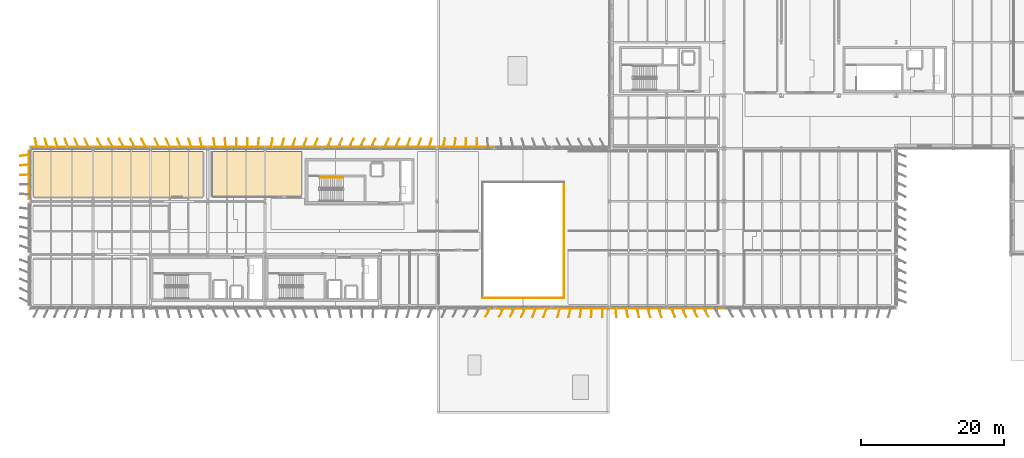
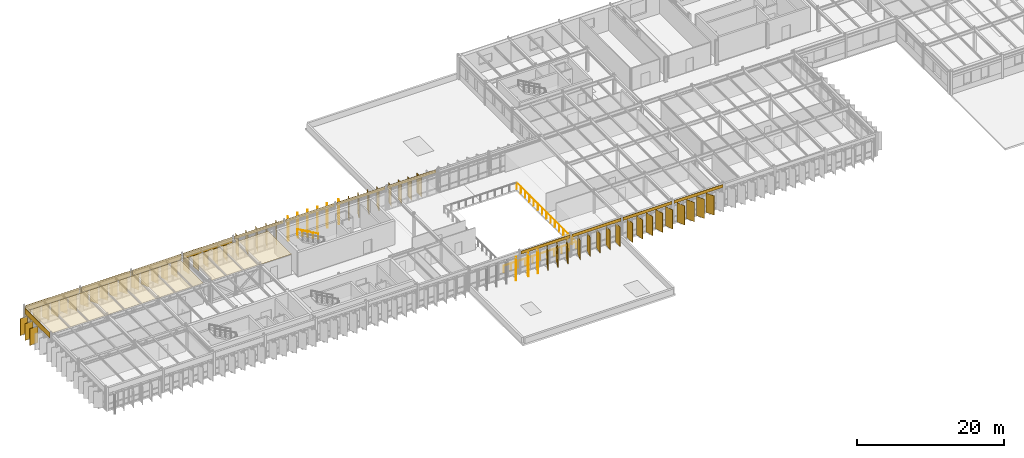
# One storey, part 50 of 56: 78 coverings, 3 railings.
"""IFC4 building model written with IfcOpenShell, lengths in metres."""

from ifc_helpers import new_model, si_unit, direction, frame, frame_2d, origin, origin_2d, place, context, subcontext, project, spatial, polyline, rectangle, circle, outline, extrude, material, layer, layer_set, type_object, element, save


model = new_model("IFC4")

# Units and contexts
model_context = context("Model", 3, precision=1e-05, world=origin(), true_north=direction((0.0, 1.0)))
body_context = subcontext(model_context, "Body", "Model", "MODEL_VIEW")
ifc_project = project(units=[si_unit("LENGTHUNIT", "METRE"), si_unit("AREAUNIT", "SQUARE_METRE"), si_unit("VOLUMEUNIT", "CUBIC_METRE"), si_unit("PLANEANGLEUNIT", "RADIAN"), si_unit("MASSUNIT", "GRAM", prefix="KILO")], contexts=[model_context])

# Site, building, storey
site_placement = place(None, origin())
site = spatial("IfcSite", under=ifc_project, at=site_placement, CompositionType="ELEMENT")
building_placement = place(site_placement, origin())
building = spatial("IfcBuilding", under=site, at=building_placement, Name="Valkorina Park Police Headquarters", CompositionType="ELEMENT")
storey_placement = place(building_placement, frame((0.0, 0.0, 14.10009765625)))
storey = spatial("IfcBuildingStorey", under=building, at=storey_placement, Name="L04", CompositionType="ELEMENT", Elevation=14.10009765625)

# Coverings
ifc_material_1 = material(Name="Acoustic mineral board")
ifc_layer_1 = layer(ifc_material_1, 0.02490234375)
ifc_layer_set_1 = layer_set([ifc_layer_1], Name="Acoustic mineral board")
covering_type_1 = type_object("IfcCoveringType", Name="COV-CEILING-ACOUST", PredefinedType="CEILING", material=ifc_layer_set_1)
covering_1_placement = place(storey_placement, frame((0.0, 0.0, 3.239990234375)))
element("IfcCovering", 1, at=covering_1_placement, inside=storey, type_object=covering_type_1, Name="Cantilever West North Detective Suite Acoustic Suspended Ceiling", PredefinedType="CEILING", context=body_context, shape_type="SweptSolid", body=[
    extrude(outline(polyline([(24.158447265625, 52.50439453125), (24.15966796875, 52.51220703125), (24.159912109375, 52.52001953125), (24.159912109375, 58.679931640625), (24.15966796875, 58.687744140625), (24.158447265625, 58.695556640625), (24.156494140625, 58.703125), (24.15380859375, 58.710693359375), (24.150634765625, 58.7177734375), (24.146484375, 58.724365234375), (24.141845703125, 58.730712890625), (24.13671875, 58.736572265625), (24.130859375, 58.74169921875), (24.12451171875, 58.74658203125), (24.11767578125, 58.75048828125), (24.110595703125, 58.75390625), (24.103271484375, 58.756591796875), (24.095703125, 58.758544921875), (24.087890625, 58.759521484375), (24.080078125, 58.760009765625), (0.52001953125, 58.760009765625), (0.51220703125, 58.759521484375), (0.50439453125, 58.758544921875), (0.496826171875, 58.756591796875), (0.489501953125, 58.75390625), (0.482421875, 58.75048828125), (0.4755859375, 58.74658203125), (0.46923828125, 58.74169921875), (0.46337890625, 58.736572265625), (0.458251953125, 58.730712890625), (0.45361328125, 58.724365234375), (0.449462890625, 58.7177734375), (0.446044921875, 58.710693359375), (0.443359375, 58.703125), (0.44140625, 58.695556640625), (0.4404296875, 58.687744140625), (0.43994140625, 58.679931640625), (0.43994140625, 52.52001953125), (0.4404296875, 52.51220703125), (0.44140625, 52.50439453125), (0.443359375, 52.496826171875), (0.446044921875, 52.489501953125), (0.449462890625, 52.482421875), (0.45361328125, 52.4755859375), (0.458251953125, 52.46923828125), (0.46337890625, 52.46337890625), (0.46923828125, 52.458251953125), (0.4755859375, 52.45361328125), (0.482421875, 52.449462890625), (0.489501953125, 52.446044921875), (0.496826171875, 52.443359375), (0.50439453125, 52.44140625), (0.51220703125, 52.4404296875), (0.52001953125, 52.43994140625), (24.080078125, 52.43994140625), (24.087890625, 52.4404296875), (24.095703125, 52.44140625), (24.103271484375, 52.443359375), (24.110595703125, 52.446044921875), (24.11767578125, 52.449462890625), (24.12451171875, 52.45361328125), (24.130859375, 52.458251953125), (24.13671875, 52.46337890625), (24.141845703125, 52.46923828125), (24.146484375, 52.4755859375), (24.150634765625, 52.482421875), (24.15380859375, 52.489501953125), (24.156494140625, 52.496826171875), (24.158447265625, 52.50439453125)])), origin(), (0.0, 0.0, 1.0), 0.02490234375),
])
covering_2_placement = place(storey_placement, frame((0.0, 0.0, 3.239990234375)))
element("IfcCovering", 2, at=covering_2_placement, inside=storey, type_object=covering_type_1, Name="Robbery and Street-Crime Squad Suite Acoustic Suspended Ceiling", PredefinedType="CEILING", context=body_context, shape_type="SweptSolid", body=[
    extrude(outline(polyline([(37.95849609375, 52.50439453125), (37.959716796875, 52.51220703125), (37.9599609375, 52.52001953125), (37.9599609375, 58.679931640625), (37.959716796875, 58.687744140625), (37.95849609375, 58.695556640625), (37.95654296875, 58.703125), (37.953857421875, 58.710693359375), (37.95068359375, 58.7177734375), (37.946533203125, 58.724365234375), (37.94189453125, 58.730712890625), (37.9365234375, 58.736572265625), (37.930908203125, 58.74169921875), (37.92431640625, 58.74658203125), (37.917724609375, 58.75048828125), (37.91064453125, 58.75390625), (37.9033203125, 58.756591796875), (37.8955078125, 58.758544921875), (37.8876953125, 58.759521484375), (37.8798828125, 58.760009765625), (25.52001953125, 58.760009765625), (25.51220703125, 58.759521484375), (25.50439453125, 58.758544921875), (25.496826171875, 58.756591796875), (25.489501953125, 58.75390625), (25.482421875, 58.75048828125), (25.4755859375, 58.74658203125), (25.46923828125, 58.74169921875), (25.46337890625, 58.736572265625), (25.458251953125, 58.730712890625), (25.45361328125, 58.724365234375), (25.449462890625, 58.7177734375), (25.446044921875, 58.710693359375), (25.443359375, 58.703125), (25.44140625, 58.695556640625), (25.4404296875, 58.687744140625), (25.43994140625, 58.679931640625), (25.43994140625, 52.52001953125), (25.4404296875, 52.51220703125), (25.44140625, 52.50439453125), (25.443359375, 52.496826171875), (25.446044921875, 52.489501953125), (25.449462890625, 52.482421875), (25.45361328125, 52.4755859375), (25.458251953125, 52.46923828125), (25.46337890625, 52.46337890625), (25.46923828125, 52.458251953125), (25.4755859375, 52.45361328125), (25.482421875, 52.449462890625), (25.489501953125, 52.446044921875), (25.496826171875, 52.443359375), (25.50439453125, 52.44140625), (25.51220703125, 52.4404296875), (25.52001953125, 52.43994140625), (37.8798828125, 52.43994140625), (37.8876953125, 52.4404296875), (37.8955078125, 52.44140625), (37.9033203125, 52.443359375), (37.91064453125, 52.446044921875), (37.917724609375, 52.449462890625), (37.92431640625, 52.45361328125), (37.930908203125, 52.458251953125), (37.9365234375, 52.46337890625), (37.94189453125, 52.46923828125), (37.946533203125, 52.4755859375), (37.95068359375, 52.482421875), (37.953857421875, 52.489501953125), (37.95654296875, 52.496826171875), (37.95849609375, 52.50439453125)])), origin(), (0.0, 0.0, 1.0), 0.02490234375),
])
ifc_material_2 = material(Name="Precast concrete C40/50", Category="concrete")
ifc_layer_2 = layer(ifc_material_2, 0.044921875)
ifc_layer_set_2 = layer_set([ifc_layer_2], Name="Precast concrete C40/50")
covering_type_2 = type_object("IfcCoveringType", Name="COV-CLAD-DOLOMITE", PredefinedType="CLADDING", material=ifc_layer_set_2)
covering_3_placement = place(storey_placement, frame((0.159912109375, 59.360107421875, 2.844970703125), z_axis=(0.0, 0.0, 1.0), x_axis=(1.0, 0.0, 0.0)))
element("IfcCovering", 3, at=covering_3_placement, inside=storey, type_object=covering_type_2, Name="L04 Spandrel Beam Insulated Fascia 2217", PredefinedType="CLADDING", context=body_context, shape_type="SweptSolid", body=[
    extrude(rectangle(XDim=8.47998046875, YDim=0.044921875, at=frame_2d((4.239990234375, 0.0))), origin(), (0.0, 0.0, 1.0), 0.909912109375),
])
for number, where, z_axis, x_axis, name in (
    (4, (8.9599609375, 59.360107421875, 2.844970703125), (0.0, 0.0, 1.0), (1.0, 0.0, 0.0), "L04 Spandrel Beam Insulated Fascia 2218"),
    (5, (16.9599609375, 59.360107421875, 2.844970703125), (0.0, 0.0, 1.0), (1.0, 0.0, 0.0), "L04 Spandrel Beam Insulated Fascia 2219"),
    (6, (24.9599609375, 59.360107421875, 2.844970703125), (0.0, 0.0, 1.0), (1.0, 0.0, 0.0), "L04 Spandrel Beam Insulated Fascia 2220"),
):
    element("IfcCovering", number, at=place(storey_placement, frame(where, z_axis=z_axis, x_axis=x_axis)), inside=storey, type_object=covering_type_2, Name=name, PredefinedType="CLADDING", context=body_context, shape_type="SweptSolid", body=[
        extrude(rectangle(XDim=7.679931640625, YDim=0.044921875, at=frame_2d((3.83984375, 0.0))), origin(), (0.0, 0.0, 1.0), 0.909912109375),
    ])
for number, where, z_axis, x_axis, name in (
    (7, (32.9599609375, 59.360107421875, 3.2548828125), (0.0, 0.0, 1.0), (1.0, 0.0, 0.0), "L04 Spandrel Beam Insulated Fascia 2221"),
    (8, (40.9599609375, 59.360107421875, 3.2548828125), (0.0, 0.0, 1.0), (1.0, 0.0, 0.0), "L04 Spandrel Beam Insulated Fascia 2222"),
):
    element("IfcCovering", number, at=place(storey_placement, frame(where, z_axis=z_axis, x_axis=x_axis)), inside=storey, type_object=covering_type_2, Name=name, PredefinedType="CLADDING", context=body_context, shape_type="SweptSolid", body=[
        extrude(rectangle(XDim=7.679931640625, YDim=0.044921875, at=frame_2d((3.83984375, 0.0))), origin(), (0.0, 0.0, 1.0), 0.5),
    ])
covering_4_placement = place(storey_placement, frame((48.9599609375, 59.360107421875, 3.2548828125), z_axis=(0.0, 0.0, 1.0), x_axis=(1.0, 0.0, 0.0)))
element("IfcCovering", 9, at=covering_4_placement, inside=storey, type_object=covering_type_2, Name="L04 Spandrel Beam Insulated Fascia 2223", PredefinedType="CLADDING", context=body_context, shape_type="SweptSolid", body=[
    extrude(rectangle(XDim=7.65234375, YDim=0.044921875, at=frame_2d((3.826171875, 0.0))), origin(), (0.0, 0.0, 1.0), 0.5),
])
covering_5_placement = place(storey_placement, frame((56.98779296875, 59.360107421875, 3.2548828125), z_axis=(0.0, 0.0, 1.0), x_axis=(1.0, 0.0, 0.0)))
element("IfcCovering", 10, at=covering_5_placement, inside=storey, type_object=covering_type_2, Name="L04 Spandrel Beam Insulated Fascia 2224", PredefinedType="CLADDING", context=body_context, shape_type="SweptSolid", body=[
    extrude(rectangle(XDim=7.62451171875, YDim=0.044921875, at=frame_2d((3.812255859375, 0.0))), origin(), (0.0, 0.0, 1.0), 0.5),
])
covering_6_placement = place(storey_placement, frame((96.639892578125, 36.840087890625, 3.2548828125), z_axis=(0.0, 0.0, 1.0), x_axis=(-1.0, 0.0, 0.0)))
element("IfcCovering", 11, at=covering_6_placement, inside=storey, type_object=covering_type_2, Name="L04 Spandrel Beam Insulated Fascia 2381", PredefinedType="CLADDING", context=body_context, shape_type="SweptSolid", body=[
    extrude(rectangle(XDim=7.679931640625, YDim=0.044921875, at=frame_2d((3.83984375, 0.0))), origin(), (0.0, 0.0, 1.0), 0.5),
])
covering_7_placement = place(storey_placement, frame((88.639892578125, 36.840087890625, 3.2548828125), z_axis=(0.0, 0.0, 1.0), x_axis=(-1.0, 0.0, 0.0)))
element("IfcCovering", 12, at=covering_7_placement, inside=storey, type_object=covering_type_2, Name="L04 Spandrel Beam Insulated Fascia 2382", PredefinedType="CLADDING", context=body_context, shape_type="SweptSolid", body=[
    extrude(rectangle(XDim=7.652099609375, YDim=0.044921875, at=frame_2d((3.826171875, 0.0))), origin(), (0.0, 0.0, 1.0), 0.5),
])
for number, where, z_axis, x_axis, name in (
    (13, (80.6123046875, 36.840087890625, 3.2548828125), (0.0, 0.0, 1.0), (-1.0, 0.0, 0.0), "L04 Spandrel Beam Insulated Fascia 2383"),
    (14, (72.6123046875, 36.840087890625, 3.2548828125), (0.0, 0.0, 1.0), (-1.0, 0.0, 0.0), "L04 Spandrel Beam Insulated Fascia 2384"),
):
    element("IfcCovering", number, at=place(storey_placement, frame(where, z_axis=z_axis, x_axis=x_axis)), inside=storey, type_object=covering_type_2, Name=name, PredefinedType="CLADDING", context=body_context, shape_type="SweptSolid", body=[
        extrude(rectangle(XDim=7.62451171875, YDim=0.044921875, at=frame_2d((3.812255859375, 0.0))), origin(), (0.0, 0.0, 1.0), 0.5),
    ])
covering_8_placement = place(storey_placement, frame((-0.159912109375, 52.110107421875, 2.844970703125), z_axis=(0.0, 0.0, 1.0), x_axis=(0.0, 1.0, 0.0)))
element("IfcCovering", 15, at=covering_8_placement, inside=storey, type_object=covering_type_2, Name="L04 Spandrel Beam Insulated Fascia 2395", PredefinedType="CLADDING", context=body_context, shape_type="SweptSolid", body=[
    extrude(rectangle(XDim=6.77978515625, YDim=0.044921875, at=frame_2d((3.389892578125, 0.0))), origin(), (0.0, 0.0, 1.0), 0.909912109375),
])

# Railings
ifc_material_3 = material(Name="Stainless steel EN 1.4404", Category="steel")
railing_type_1 = type_object("IfcRailingType", Name="RL-GUARD-INT-1100", PredefinedType="BALUSTRADE", material=ifc_material_3)
railing_1_placement = place(storey_placement, frame((63.1201171875, 38.320068359375, 0.0)))
element("IfcRailing", 16, at=railing_1_placement, inside=storey, type_object=railing_type_1, Name="L04 Winter Concourse Atrium Balustrade 9", PredefinedType="BALUSTRADE", context=body_context, shape_type="SweptSolid", body=[
    extrude(circle(Radius=0.02392578125, at=origin_2d()), frame((0.0, 0.0, 1.09619140625), z_axis=(1.0, 0.0, 0.0), x_axis=(0.0, 1.0, 0.0)), (0.0, 0.0, 1.0), 11.35986328125),
    extrude(circle(Radius=0.02099609375, at=origin_2d()), origin(), (0.0, 0.0, 1.0), 1.072021484375),
    extrude(circle(Radius=0.02099609375, at=origin_2d()), frame((1.135986328125, 0.0, 0.0)), (0.0, 0.0, 1.0), 1.072021484375),
    extrude(circle(Radius=0.02099609375, at=origin_2d()), frame((2.27197265625, 0.0, 0.0)), (0.0, 0.0, 1.0), 1.072021484375),
    extrude(circle(Radius=0.02099609375, at=origin_2d()), frame((3.407958984375, 0.0, 0.0)), (0.0, 0.0, 1.0), 1.072021484375),
    extrude(circle(Radius=0.02099609375, at=origin_2d()), frame((4.5439453125, 0.0, 0.0)), (0.0, 0.0, 1.0), 1.072021484375),
    extrude(circle(Radius=0.02099609375, at=origin_2d()), frame((5.679931640625, 0.0, 0.0)), (0.0, 0.0, 1.0), 1.072021484375),
    extrude(circle(Radius=0.02099609375, at=origin_2d()), frame((6.81591796875, 0.0, 0.0)), (0.0, 0.0, 1.0), 1.072021484375),
    extrude(circle(Radius=0.02099609375, at=origin_2d()), frame((7.951904296875, 0.0, 0.0)), (0.0, 0.0, 1.0), 1.072021484375),
    extrude(circle(Radius=0.02099609375, at=origin_2d()), frame((9.087890625, 0.0, 0.0)), (0.0, 0.0, 1.0), 1.072021484375),
    extrude(circle(Radius=0.02099609375, at=origin_2d()), frame((10.223876953125, 0.0, 0.0)), (0.0, 0.0, 1.0), 1.072021484375),
    extrude(circle(Radius=0.02099609375, at=origin_2d()), frame((11.35986328125, 0.0, 0.0)), (0.0, 0.0, 1.0), 1.072021484375),
])
railing_2_placement = place(storey_placement, frame((74.47998046875, 38.320068359375, 0.0)))
element("IfcRailing", 17, at=railing_2_placement, inside=storey, type_object=railing_type_1, Name="L04 Winter Concourse Atrium Balustrade 10", PredefinedType="BALUSTRADE", context=body_context, shape_type="SweptSolid", body=[
    extrude(circle(Radius=0.02392578125, at=origin_2d()), frame((0.0, 0.0, 1.09619140625), z_axis=(0.0, 1.0, 0.0), x_axis=(-1.0, 0.0, 0.0)), (0.0, 0.0, 1.0), 16.159912109375),
    extrude(circle(Radius=0.02099609375, at=origin_2d()), origin(), (0.0, 0.0, 1.0), 1.072021484375),
    extrude(circle(Radius=0.02099609375, at=origin_2d()), frame((0.0, 1.154296875, 0.0)), (0.0, 0.0, 1.0), 1.072021484375),
    extrude(circle(Radius=0.02099609375, at=origin_2d()), frame((0.0, 2.30859375, 0.0)), (0.0, 0.0, 1.0), 1.072021484375),
    extrude(circle(Radius=0.02099609375, at=origin_2d()), frame((0.0, 3.462890625, 0.0)), (0.0, 0.0, 1.0), 1.072021484375),
    extrude(circle(Radius=0.02099609375, at=origin_2d()), frame((0.0, 4.6171875, 0.0)), (0.0, 0.0, 1.0), 1.072021484375),
    extrude(circle(Radius=0.02099609375, at=origin_2d()), frame((0.0, 5.771484375, 0.0)), (0.0, 0.0, 1.0), 1.072021484375),
    extrude(circle(Radius=0.02099609375, at=origin_2d()), frame((0.0, 6.92578125, 0.0)), (0.0, 0.0, 1.0), 1.072021484375),
    extrude(circle(Radius=0.02099609375, at=origin_2d()), frame((0.0, 8.080078125, 0.0)), (0.0, 0.0, 1.0), 1.072021484375),
    extrude(circle(Radius=0.02099609375, at=origin_2d()), frame((0.0, 9.234130859375, 0.0)), (0.0, 0.0, 1.0), 1.072021484375),
    extrude(circle(Radius=0.02099609375, at=origin_2d()), frame((0.0, 10.388427734375, 0.0)), (0.0, 0.0, 1.0), 1.072021484375),
    extrude(circle(Radius=0.02099609375, at=origin_2d()), frame((0.0, 11.542724609375, 0.0)), (0.0, 0.0, 1.0), 1.072021484375),
    extrude(circle(Radius=0.02099609375, at=origin_2d()), frame((0.0, 12.697021484375, 0.0)), (0.0, 0.0, 1.0), 1.072021484375),
    extrude(circle(Radius=0.02099609375, at=origin_2d()), frame((0.0, 13.851318359375, 0.0)), (0.0, 0.0, 1.0), 1.072021484375),
    extrude(circle(Radius=0.02099609375, at=origin_2d()), frame((0.0, 15.005615234375, 0.0)), (0.0, 0.0, 1.0), 1.072021484375),
    extrude(circle(Radius=0.02099609375, at=origin_2d()), frame((0.0, 16.159912109375, 0.0)), (0.0, 0.0, 1.0), 1.072021484375),
])
railing_type_2 = type_object("IfcRailingType", Name="RL-HANDRAIL-900", PredefinedType="HANDRAIL", material=ifc_material_3)
railing_3_placement = place(storey_placement, frame((43.699951171875, 55.14990234375, 2.16650390625)))
element("IfcRailing", 18, at=railing_3_placement, inside=storey, type_object=railing_type_2, Name="L04 Core C3 Stair Handrail 2", PredefinedType="HANDRAIL", context=body_context, shape_type="SweptSolid", body=[
    extrude(circle(Radius=0.02392578125, at=origin_2d()), frame((0.0, 0.0, 0.8759765625), z_axis=(-0.874142023373, 0.0, 0.48567038511), x_axis=(0.0, -1.0, 0.0)), (0.0, 0.0, 1.0), 3.775146484375),
    extrude(circle(Radius=0.02099609375, at=origin_2d()), origin(), (0.0, 0.0, 1.0), 0.851806640625),
    extrude(circle(Radius=0.02099609375, at=origin_2d()), frame((-0.824951171875, 0.0, 0.45849609375)), (0.0, 0.0, 1.0), 0.851806640625),
    extrude(circle(Radius=0.02099609375, at=origin_2d()), frame((-1.64990234375, 0.0, 0.916748046875)), (0.0, 0.0, 1.0), 0.851806640625),
    extrude(circle(Radius=0.02099609375, at=origin_2d()), frame((-2.47509765625, 0.0, 1.375)), (0.0, 0.0, 1.0), 0.851806640625),
    extrude(circle(Radius=0.02099609375, at=origin_2d()), frame((-3.300048828125, 0.0, 1.83349609375)), (0.0, 0.0, 1.0), 0.851806640625),
])

# Coverings
ifc_material_4 = material(Name="Polychrome anodized aluminium - Baltic Amber", Category="aluminium")
ifc_layer_3 = layer(ifc_material_4, 0.06494140625)
ifc_layer_set_3 = layer_set([ifc_layer_3], Name="Polychrome anodized aluminium - Baltic Amber")
covering_type_3 = type_object("IfcCoveringType", Name="SHD-LOUVRE-AMBER", PredefinedType="CLADDING", material=ifc_layer_set_3)
for number, where, z_axis, x_axis, name in (
    (19, (3.693359375, 59.93994140625, 0.0400390625), (0.0, 0.0, 1.0), (-0.323091679739, 0.946367669822, 0.0), "V5 Polychrome Pivoting Louvre 0003"),
    (20, (11.263916015625, 59.93994140625, 0.0400390625), (0.0, 0.0, 1.0), (-0.480223497443, 0.877146163706, 0.0), "V5 Polychrome Pivoting Louvre 0008"),
    (21, (17.72802734375, 59.93994140625, 0.0400390625), (0.0, 0.0, 1.0), (-0.436016609893, 0.89993861785, 0.0), "V5 Polychrome Pivoting Louvre 0012"),
    (22, (23.8720703125, 59.93994140625, 0.0400390625), (0.0, 0.0, 1.0), (-0.247506354292, 0.968886270202, 0.0), "V5 Polychrome Pivoting Louvre 0016"),
    (23, (30.3359375, 59.93994140625, 0.0400390625), (0.0, 0.0, 1.0), (0.049024093608, 0.998797596236, 0.0), "V5 Polychrome Pivoting Louvre 0020"),
):
    element("IfcCovering", number, at=place(storey_placement, frame(where, z_axis=z_axis, x_axis=x_axis)), inside=storey, type_object=covering_type_3, Name=name, PredefinedType="CLADDING", context=body_context, shape_type="SweptSolid", body=[
        extrude(rectangle(XDim=1.280029296875, YDim=0.06494140625, at=origin_2d()), origin(), (0.0, 0.0, 1.0), 2.784912109375),
    ])
for number, where, z_axis, x_axis, name in (
    (24, (36.800048828125, 59.93994140625, 0.0400390625), (0.0, 0.0, 1.0), (0.324412742909, 0.945915626384, 0.0), "V5 Polychrome Pivoting Louvre 0024"),
    (25, (43.263916015625, 59.93994140625, 0.0400390625), (0.0, 0.0, 1.0), (0.47147369718, 0.881880123865, 0.0), "V5 Polychrome Pivoting Louvre 0028"),
    (26, (49.72509765625, 59.93994140625, 0.0400390625), (0.0, 0.0, 1.0), (0.454923310491, 0.890530617987, 0.0), "V5 Polychrome Pivoting Louvre 0032"),
    (27, (55.846923828125, 59.93994140625, 0.0400390625), (0.0, 0.0, 1.0), (0.290201167351, 0.956965664205, 0.0), "V5 Polychrome Pivoting Louvre 0036"),
    (28, (62.324951171875, 59.93994140625, 0.0400390625), (0.0, 0.0, 1.0), (0.002792523174, 0.9999961009, 0.0), "V5 Polychrome Pivoting Louvre 0040"),
    (29, (92.800048828125, 36.260009765625, 0.0400390625), (0.0, 0.0, 1.0), (0.458339340618, -0.888777277411, 0.0), "V5 Polychrome Pivoting Louvre 0084"),
    (30, (86.34423828125, 36.260009765625, 0.0400390625), (0.0, 0.0, 1.0), (0.286524552728, -0.958072899462, 0.0), "V5 Polychrome Pivoting Louvre 0088"),
    (31, (79.849853515625, 36.260009765625, 0.0400390625), (0.0, 0.0, 1.0), (-0.002792523174, -0.9999961009, 0.0), "V5 Polychrome Pivoting Louvre 0092"),
    (32, (73.750244140625, 36.260009765625, 0.0400390625), (0.0, 0.0, 1.0), (-0.275972882649, -0.961165421789, 0.0), "V5 Polychrome Pivoting Louvre 0096"),
    (33, (67.275146484375, 36.260009765625, 0.0400390625), (0.0, 0.0, 1.0), (-0.454456967411, -0.890768693192, 0.0), "V5 Polychrome Pivoting Louvre 0100"),
):
    element("IfcCovering", number, at=place(storey_placement, frame(where, z_axis=z_axis, x_axis=x_axis)), inside=storey, type_object=covering_type_3, Name=name, PredefinedType="CLADDING", context=body_context, shape_type="SweptSolid", body=[
        extrude(rectangle(XDim=1.280029296875, YDim=0.06494140625, at=origin_2d()), origin(), (0.0, 0.0, 1.0), 3.195068359375),
    ])
covering_9_placement = place(storey_placement, frame((-0.739990234375, 58.2119140625, 0.0400390625), z_axis=(0.0, 0.0, 1.0), x_axis=(-0.990048234542, -0.140728438067, 0.0)))
element("IfcCovering", 34, at=covering_9_placement, inside=storey, type_object=covering_type_3, Name="V5 Polychrome Pivoting Louvre 0157", PredefinedType="CLADDING", context=body_context, shape_type="SweptSolid", body=[
    extrude(rectangle(XDim=1.280029296875, YDim=0.06494140625, at=origin_2d()), origin(), (0.0, 0.0, 1.0), 2.784912109375),
])
ifc_material_5 = material(Name="Polychrome anodized aluminium - Riga Ochre", Category="aluminium")
ifc_layer_4 = layer(ifc_material_5, 0.06494140625)
ifc_layer_set_4 = layer_set([ifc_layer_4], Name="Polychrome anodized aluminium - Riga Ochre")
covering_type_4 = type_object("IfcCoveringType", Name="SHD-LOUVRE-OCHRE", PredefinedType="CLADDING", material=ifc_layer_set_4)
for number, where, z_axis, x_axis, name in (
    (35, (0.86669921875, 59.93994140625, 0.0400390625), (0.0, 0.0, 1.0), (-0.213541936916, 0.97693389806, 0.0), "V5 Polychrome Pivoting Louvre 0001"),
    (36, (6.52001953125, 59.93994140625, 0.0400390625), (0.0, 0.0, 1.0), (-0.407055505812, 0.913403424117, 0.0), "V5 Polychrome Pivoting Louvre 0005"),
    (37, (14.3359375, 59.93994140625, 0.0400390625), (0.0, 0.0, 1.0), (-0.479917286421, 0.877313739887, 0.0), "V5 Polychrome Pivoting Louvre 0010"),
    (38, (20.800048828125, 59.93994140625, 0.0400390625), (0.0, 0.0, 1.0), (-0.358042046673, 0.933705463631, 0.0), "V5 Polychrome Pivoting Louvre 0014"),
    (39, (27.263916015625, 59.93994140625, 0.0400390625), (0.0, 0.0, 1.0), (-0.097756598221, 0.995210353395, 0.0), "V5 Polychrome Pivoting Louvre 0018"),
):
    element("IfcCovering", number, at=place(storey_placement, frame(where, z_axis=z_axis, x_axis=x_axis)), inside=storey, type_object=covering_type_4, Name=name, PredefinedType="CLADDING", context=body_context, shape_type="SweptSolid", body=[
        extrude(rectangle(XDim=1.280029296875, YDim=0.06494140625, at=origin_2d()), origin(), (0.0, 0.0, 1.0), 2.784912109375),
    ])
for number, where, z_axis, x_axis, name in (
    (40, (33.72802734375, 59.93994140625, 0.0400390625), (0.0, 0.0, 1.0), (0.204666893315, 0.978831682559, 0.0), "V5 Polychrome Pivoting Louvre 0022"),
    (41, (39.8720703125, 59.93994140625, 0.0400390625), (0.0, 0.0, 1.0), (0.413898993841, 0.910322812467, 0.0), "V5 Polychrome Pivoting Louvre 0026"),
    (42, (46.3359375, 59.93994140625, 0.0400390625), (0.0, 0.0, 1.0), (0.484351604003, 0.87487343296, 0.0), "V5 Polychrome Pivoting Louvre 0030"),
    (43, (52.7861328125, 59.93994140625, 0.0400390625), (0.0, 0.0, 1.0), (0.389606228328, 0.920981534477, 0.0), "V5 Polychrome Pivoting Louvre 0034"),
    (44, (59.275146484375, 59.93994140625, 0.0400390625), (0.0, 0.0, 1.0), (0.146773635283, 0.989170106698, 0.0), "V5 Polychrome Pivoting Louvre 0038"),
    (45, (89.72802734375, 36.260009765625, 0.0400390625), (0.0, 0.0, 1.0), (0.395545502563, -0.918446381343, 0.0), "V5 Polychrome Pivoting Louvre 0086"),
    (46, (83.283447265625, 36.260009765625, 0.0400390625), (0.0, 0.0, 1.0), (0.158847373537, -0.987303150973, 0.0), "V5 Polychrome Pivoting Louvre 0090"),
    (47, (76.800048828125, 36.260009765625, 0.0400390625), (0.0, 0.0, 1.0), (-0.146773635283, -0.989170106698, 0.0), "V5 Polychrome Pivoting Louvre 0094"),
    (48, (70.324951171875, 36.260009765625, 0.0400390625), (0.0, 0.0, 1.0), (-0.38912395014, -0.921185405566, 0.0), "V5 Polychrome Pivoting Louvre 0098"),
    (49, (63.849853515625, 36.260009765625, 0.0400390625), (0.0, 0.0, 1.0), (-0.484351604003, -0.87487343296, 0.0), "V5 Polychrome Pivoting Louvre 0102"),
):
    element("IfcCovering", number, at=place(storey_placement, frame(where, z_axis=z_axis, x_axis=x_axis)), inside=storey, type_object=covering_type_4, Name=name, PredefinedType="CLADDING", context=body_context, shape_type="SweptSolid", body=[
        extrude(rectangle(XDim=1.280029296875, YDim=0.06494140625, at=origin_2d()), origin(), (0.0, 0.0, 1.0), 3.195068359375),
    ])
covering_10_placement = place(storey_placement, frame((-0.739990234375, 55.5, 0.0400390625), z_axis=(0.0, 0.0, 1.0), x_axis=(-0.999194395114, -0.040131792533, 0.0)))
element("IfcCovering", 50, at=covering_10_placement, inside=storey, type_object=covering_type_4, Name="V5 Polychrome Pivoting Louvre 0155", PredefinedType="CLADDING", context=body_context, shape_type="SweptSolid", body=[
    extrude(rectangle(XDim=1.280029296875, YDim=0.06494140625, at=origin_2d()), origin(), (0.0, 0.0, 1.0), 2.784912109375),
])
ifc_material_6 = material(Name="Polychrome anodized aluminium - Courland Slate Blue", Category="masonry")
ifc_layer_5 = layer(ifc_material_6, 0.06494140625)
ifc_layer_set_5 = layer_set([ifc_layer_5], Name="Polychrome anodized aluminium - Courland Slate Blue")
covering_type_5 = type_object("IfcCoveringType", Name="SHD-LOUVRE-SLATE", PredefinedType="CLADDING", material=ifc_layer_set_5)
for number, where, z_axis, x_axis, name in (
    (51, (2.280029296875, 59.93994140625, 0.0400390625), (0.0, 0.0, 1.0), (-0.271104473079, 0.962549928407, 0.0), "V5 Polychrome Pivoting Louvre 0002"),
    (52, (7.933349609375, 59.93994140625, 0.0400390625), (0.0, 0.0, 1.0), (-0.43805738178, 0.898947011936, 0.0), "V5 Polychrome Pivoting Louvre 0006"),
    (53, (9.72802734375, 59.93994140625, 0.0400390625), (0.0, 0.0, 1.0), (-0.466232244732, 0.884662361566, 0.0), "V5 Polychrome Pivoting Louvre 0007"),
    (54, (15.8720703125, 59.93994140625, 0.0400390625), (0.0, 0.0, 1.0), (-0.465768972714, 0.88490635892, 0.0), "V5 Polychrome Pivoting Louvre 0011"),
    (55, (22.3359375, 59.93994140625, 0.0400390625), (0.0, 0.0, 1.0), (-0.306526078098, 0.951862260753, 0.0), "V5 Polychrome Pivoting Louvre 0015"),
    (56, (28.800048828125, 59.93994140625, 0.0400390625), (0.0, 0.0, 1.0), (-0.024606658605, 0.999697210335, 0.0), "V5 Polychrome Pivoting Louvre 0019"),
):
    element("IfcCovering", number, at=place(storey_placement, frame(where, z_axis=z_axis, x_axis=x_axis)), inside=storey, type_object=covering_type_5, Name=name, PredefinedType="CLADDING", context=body_context, shape_type="SweptSolid", body=[
        extrude(rectangle(XDim=1.280029296875, YDim=0.06494140625, at=origin_2d()), origin(), (0.0, 0.0, 1.0), 2.784912109375),
    ])
for number, where, z_axis, x_axis, name in (
    (57, (35.263916015625, 59.93994140625, 0.0400390625), (0.0, 0.0, 1.0), (0.267742895148, 0.963490395436, 0.0), "V5 Polychrome Pivoting Louvre 0023"),
    (58, (41.72802734375, 59.93994140625, 0.0400390625), (0.0, 0.0, 1.0), (0.451033319435, 0.892507111882, 0.0), "V5 Polychrome Pivoting Louvre 0027"),
    (59, (47.8720703125, 59.93994140625, 0.0400390625), (0.0, 0.0, 1.0), (0.476698547309, 0.879066831927, 0.0), "V5 Polychrome Pivoting Louvre 0031"),
    (60, (54.31640625, 59.93994140625, 0.0400390625), (0.0, 0.0, 1.0), (0.343823592217, 0.93903425786, 0.0), "V5 Polychrome Pivoting Louvre 0035"),
    (61, (60.800048828125, 59.93994140625, 0.0400390625), (0.0, 0.0, 1.0), (0.075674875051, 0.997132545495, 0.0), "V5 Polychrome Pivoting Louvre 0039"),
    (62, (94.3359375, 36.260009765625, 0.0400390625), (0.0, 0.0, 1.0), (0.475931235364, -0.87948249511, 0.0), "V5 Polychrome Pivoting Louvre 0083"),
    (63, (87.874755859375, 36.260009765625, 0.0400390625), (0.0, 0.0, 1.0), (0.340543656265, -0.940228705251, 0.0), "V5 Polychrome Pivoting Louvre 0087"),
    (64, (81.7529296875, 36.260009765625, 0.0400390625), (0.0, 0.0, 1.0), (0.088025053325, -0.996118261045, 0.0), "V5 Polychrome Pivoting Louvre 0091"),
    (65, (75.275146484375, 36.260009765625, 0.0400390625), (0.0, 0.0, 1.0), (-0.214053429014, -0.976821953852, 0.0), "V5 Polychrome Pivoting Louvre 0095"),
    (66, (68.800048828125, 36.260009765625, 0.0400390625), (0.0, 0.0, 1.0), (-0.426252999515, -0.904603990929, 0.0), "V5 Polychrome Pivoting Louvre 0099"),
):
    element("IfcCovering", number, at=place(storey_placement, frame(where, z_axis=z_axis, x_axis=x_axis)), inside=storey, type_object=covering_type_5, Name=name, PredefinedType="CLADDING", context=body_context, shape_type="SweptSolid", body=[
        extrude(rectangle(XDim=1.280029296875, YDim=0.06494140625, at=origin_2d()), origin(), (0.0, 0.0, 1.0), 3.195068359375),
    ])
covering_11_placement = place(storey_placement, frame((-0.739990234375, 56.85595703125, 0.0400390625), z_axis=(0.0, 0.0, 1.0), x_axis=(-0.995852701205, -0.090980203904, 0.0)))
element("IfcCovering", 67, at=covering_11_placement, inside=storey, type_object=covering_type_5, Name="V5 Polychrome Pivoting Louvre 0156", PredefinedType="CLADDING", context=body_context, shape_type="SweptSolid", body=[
    extrude(rectangle(XDim=1.280029296875, YDim=0.06494140625, at=origin_2d()), origin(), (0.0, 0.0, 1.0), 2.784912109375),
])
ifc_material_7 = material(Name="Polychrome anodized aluminium - Pine Verdigris", Category="aluminium")
ifc_layer_6 = layer(ifc_material_7, 0.06494140625)
ifc_layer_set_6 = layer_set([ifc_layer_6], Name="Polychrome anodized aluminium - Pine Verdigris")
covering_type_6 = type_object("IfcCoveringType", Name="SHD-LOUVRE-VERDIGRIS", PredefinedType="CLADDING", material=ifc_layer_set_6)
for number, where, z_axis, x_axis, name in (
    (68, (5.106689453125, 59.93994140625, 0.0400390625), (0.0, 0.0, 1.0), (-0.36861133203, 0.92958360888, 0.0), "V5 Polychrome Pivoting Louvre 0004"),
    (69, (12.800048828125, 59.93994140625, 0.0400390625), (0.0, 0.0, 1.0), (-0.484809620246, 0.874619707139, 0.0), "V5 Polychrome Pivoting Louvre 0009"),
    (70, (19.263916015625, 59.93994140625, 0.0400390625), (0.0, 0.0, 1.0), (-0.401468281767, 0.915872927177, 0.0), "V5 Polychrome Pivoting Louvre 0013"),
    (71, (25.72802734375, 59.93994140625, 0.0400390625), (0.0, 0.0, 1.0), (-0.16831733929, 0.98573286102, 0.0), "V5 Polychrome Pivoting Louvre 0017"),
    (72, (31.8720703125, 59.93994140625, 0.0400390625), (0.0, 0.0, 1.0), (0.121522872021, 0.992588631597, 0.0), "V5 Polychrome Pivoting Louvre 0021"),
):
    element("IfcCovering", number, at=place(storey_placement, frame(where, z_axis=z_axis, x_axis=x_axis)), inside=storey, type_object=covering_type_6, Name=name, PredefinedType="CLADDING", context=body_context, shape_type="SweptSolid", body=[
        extrude(rectangle(XDim=1.280029296875, YDim=0.06494140625, at=origin_2d()), origin(), (0.0, 0.0, 1.0), 2.784912109375),
    ])
for number, where, z_axis, x_axis, name in (
    (73, (38.3359375, 59.93994140625, 0.0400390625), (0.0, 0.0, 1.0), (0.373311635797, 0.927706000077, 0.0), "V5 Polychrome Pivoting Louvre 0025"),
    (74, (44.800048828125, 59.93994140625, 0.0400390625), (0.0, 0.0, 1.0), (0.482671075992, 0.875801708379, 0.0), "V5 Polychrome Pivoting Louvre 0029"),
    (75, (51.255615234375, 59.93994140625, 0.0400390625), (0.0, 0.0, 1.0), (0.426726590606, 0.904380681389, 0.0), "V5 Polychrome Pivoting Louvre 0033"),
    (76, (57.750244140625, 59.93994140625, 0.0400390625), (0.0, 0.0, 1.0), (0.213882938162, 0.976859298345, 0.0), "V5 Polychrome Pivoting Louvre 0037"),
    (77, (91.263916015625, 36.260009765625, 0.0400390625), (0.0, 0.0, 1.0), (0.431456045681, -0.902133959368, 0.0), "V5 Polychrome Pivoting Louvre 0085"),
    (78, (84.81396484375, 36.260009765625, 0.0400390625), (0.0, 0.0, 1.0), (0.225461202458, -0.974252147129, 0.0), "V5 Polychrome Pivoting Louvre 0089"),
    (79, (78.324951171875, 36.260009765625, 0.0400390625), (0.0, 0.0, 1.0), (-0.075848906358, -0.997119322551, 0.0), "V5 Polychrome Pivoting Louvre 0093"),
    (80, (71.849853515625, 36.260009765625, 0.0400390625), (0.0, 0.0, 1.0), (-0.343659694586, -0.939094252095, 0.0), "V5 Polychrome Pivoting Louvre 0097"),
    (81, (65.750244140625, 36.260009765625, 0.0400390625), (0.0, 0.0, 1.0), (-0.473473404412, -0.880808114923, 0.0), "V5 Polychrome Pivoting Louvre 0101"),
):
    element("IfcCovering", number, at=place(storey_placement, frame(where, z_axis=z_axis, x_axis=x_axis)), inside=storey, type_object=covering_type_6, Name=name, PredefinedType="CLADDING", context=body_context, shape_type="SweptSolid", body=[
        extrude(rectangle(XDim=1.280029296875, YDim=0.06494140625, at=origin_2d()), origin(), (0.0, 0.0, 1.0), 3.195068359375),
    ])

save(model, "model.ifc")
